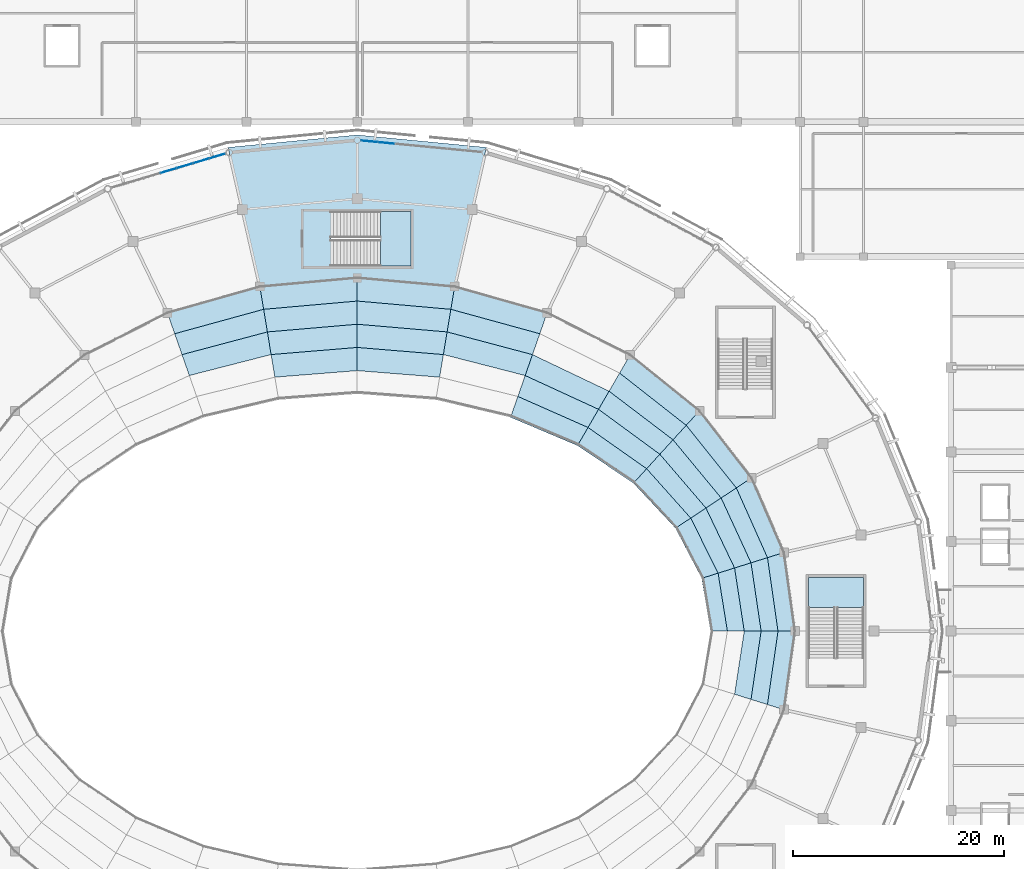
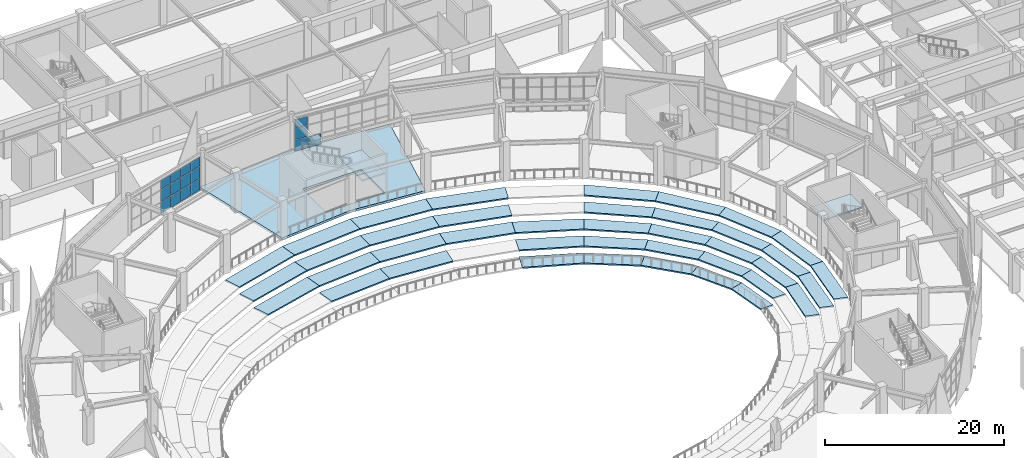
# One storey, part 64 of 120: 43 slabs, 16 plates, 4 elements without a shape of their own.
"""IFC4 building model written with IfcOpenShell, lengths in metres."""

from ifc_helpers import new_model, si_unit, direction, frame, origin, origin_2d, place, context, subcontext, project, spatial, polyline, rectangle, outline, extrude, material, layer, layer_set, type_object, element, aggregate, save


model = new_model("IFC4")

# Units and contexts
model_context = context("Model", 3, precision=1e-05, world=origin(), true_north=direction((0.0, 1.0)))
body_context = subcontext(model_context, "Body", "Model", "MODEL_VIEW")
ifc_project = project(units=[si_unit("LENGTHUNIT", "METRE"), si_unit("AREAUNIT", "SQUARE_METRE"), si_unit("VOLUMEUNIT", "CUBIC_METRE"), si_unit("PLANEANGLEUNIT", "RADIAN"), si_unit("MASSUNIT", "GRAM", prefix="KILO")], contexts=[model_context])

# Site, building, storey
site_placement = place(None, origin())
site = spatial("IfcSite", under=ifc_project, at=site_placement, CompositionType="ELEMENT")
building_placement = place(site_placement, origin())
building = spatial("IfcBuilding", under=site, at=building_placement, Name="Cuetzalor Civic Arena", CompositionType="ELEMENT")
storey_placement = place(building_placement, frame((0.0, 0.0, 6.0)))
storey = spatial("IfcBuildingStorey", under=building, at=storey_placement, Name="L01", CompositionType="ELEMENT", Elevation=6.0)

# Curtain wall, plates
ifc_material_1 = material(Name="Anodised dark bronze aluminium and low-E solar glass", Category="aluminium")
curtain_wall_type_1 = type_object("IfcCurtainWallType", Name="UnitisedCW_11550x4450", PredefinedType="USERDEFINED", material=ifc_material_1)
curtain_wall_1_placement = place(storey_placement, origin())
curtain_wall_1 = element("IfcCurtainWall", 1, at=curtain_wall_1_placement, inside=storey, type_object=curtain_wall_type_1, Name="Drum Triangle Foyer Curtain Wall L01-023", ObjectType="UNITISED CURTAIN WALL", PredefinedType="USERDEFINED")
ifc_material_2 = material(Name="Acoustic laminated solar control glass", Category="glass")
ifc_layer_1 = layer(ifc_material_2, 0.0439453125)
ifc_layer_set_1 = layer_set([ifc_layer_1], Name="Acoustic laminated solar control glass")
plate_type = type_object("IfcPlateType", Name="AcousticTripleGlazedPanel_44", PredefinedType="CURTAIN_PANEL", material=ifc_layer_set_1)
plate_1_placement = place(storey_placement, frame((1.15185546875, 46.439208984375, 0.06494140625), z_axis=(0.0, 0.0, 1.0), x_axis=(0.995409139996, -0.095711253324, 0.0)))
plate_1 = element("IfcPlate", 2, at=plate_1_placement, type_object=plate_type, Name="CW-08 panel 1.1", PredefinedType="CURTAIN_PANEL", context=body_context, shape_type="SweptSolid", body=[
    extrude(rectangle(XDim=1.5546875, YDim=0.0439453125, at=origin_2d()), origin(), (0.0, 0.0, 1.0), 1.49853515625),
])
plate_2_placement = place(storey_placement, frame((1.15185546875, 46.439208984375, 1.62841796875), z_axis=(0.0, 0.0, 1.0), x_axis=(0.995409139996, -0.095711253324, 0.0)))
plate_2 = element("IfcPlate", 3, at=plate_2_placement, type_object=plate_type, Name="CW-08 panel 1.2", PredefinedType="CURTAIN_PANEL", context=body_context, shape_type="SweptSolid", body=[
    extrude(rectangle(XDim=1.5546875, YDim=0.0439453125, at=origin_2d()), origin(), (0.0, 0.0, 1.0), 1.530029296875),
])
plate_3_placement = place(storey_placement, frame((1.15185546875, 46.439208984375, 3.223388671875), z_axis=(0.0, 0.0, 1.0), x_axis=(0.995409139996, -0.095711253324, 0.0)))
plate_3 = element("IfcPlate", 4, at=plate_3_placement, type_object=plate_type, Name="CW-08 panel 1.3", PredefinedType="CURTAIN_PANEL", context=body_context, shape_type="SweptSolid", body=[
    extrude(rectangle(XDim=1.5546875, YDim=0.0439453125, at=origin_2d()), origin(), (0.0, 0.0, 1.0), 1.1435546875),
])
plate_4_placement = place(storey_placement, frame((2.780029296875, 46.28271484375, 0.06494140625), z_axis=(0.0, 0.0, 1.0), x_axis=(0.995409139996, -0.095711253324, 0.0)))
plate_4 = element("IfcPlate", 5, at=plate_4_placement, type_object=plate_type, Name="CW-08 panel 2.1", PredefinedType="CURTAIN_PANEL", context=body_context, shape_type="SweptSolid", body=[
    extrude(rectangle(XDim=1.587158203125, YDim=0.0439453125, at=origin_2d()), origin(), (0.0, 0.0, 1.0), 1.49853515625),
])
aggregate(curtain_wall_1, [plate_1, plate_2, plate_3, plate_4])

ifc_material_3 = material(Name="Anodised dark bronze aluminium and low-E solar glass", Category="aluminium")
curtain_wall_type_2 = type_object("IfcCurtainWallType", Name="UnitisedCW_11300x4650", PredefinedType="USERDEFINED", material=ifc_material_3)
curtain_wall_2_placement = place(storey_placement, origin())
curtain_wall_2 = element("IfcCurtainWall", 6, at=curtain_wall_2_placement, inside=storey, type_object=curtain_wall_type_2, Name="Drum Triangle Foyer Curtain Wall L01-024", ObjectType="UNITISED CURTAIN WALL", PredefinedType="USERDEFINED")
plate_5_placement = place(storey_placement, frame((-17.903564453125, 43.66162109375, 0.06982421875), z_axis=(0.0, 0.0, 1.0), x_axis=(0.958193690548, 0.286120344251, 0.0)))
plate_5 = element("IfcPlate", 7, at=plate_5_placement, type_object=plate_type, Name="CW-09 panel 4.1", PredefinedType="CURTAIN_PANEL", context=body_context, shape_type="SweptSolid", body=[
    extrude(rectangle(XDim=1.545654296875, YDim=0.0439453125, at=origin_2d()), origin(), (0.0, 0.0, 1.0), 1.570068359375),
])
plate_6_placement = place(storey_placement, frame((-17.903564453125, 43.66162109375, 1.7099609375), z_axis=(0.0, 0.0, 1.0), x_axis=(0.958193690548, 0.286120344251, 0.0)))
plate_6 = element("IfcPlate", 8, at=plate_6_placement, type_object=plate_type, Name="CW-09 panel 4.2", PredefinedType="CURTAIN_PANEL", context=body_context, shape_type="SweptSolid", body=[
    extrude(rectangle(XDim=1.545654296875, YDim=0.0439453125, at=origin_2d()), origin(), (0.0, 0.0, 1.0), 1.60498046875),
])
plate_7_placement = place(storey_placement, frame((-17.903564453125, 43.66162109375, 3.384765625), z_axis=(0.0, 0.0, 1.0), x_axis=(0.958193690548, 0.286120344251, 0.0)))
plate_7 = element("IfcPlate", 9, at=plate_7_placement, type_object=plate_type, Name="CW-09 panel 4.3", PredefinedType="CURTAIN_PANEL", context=body_context, shape_type="SweptSolid", body=[
    extrude(rectangle(XDim=1.545654296875, YDim=0.0439453125, at=origin_2d()), origin(), (0.0, 0.0, 1.0), 1.197998046875),
])
plate_8_placement = place(storey_placement, frame((-16.355224609375, 44.123779296875, 0.06982421875), z_axis=(0.0, 0.0, 1.0), x_axis=(0.958193690548, 0.286120344251, 0.0)))
plate_8 = element("IfcPlate", 10, at=plate_8_placement, type_object=plate_type, Name="CW-09 panel 5.1", PredefinedType="CURTAIN_PANEL", context=body_context, shape_type="SweptSolid", body=[
    extrude(rectangle(XDim=1.545654296875, YDim=0.0439453125, at=origin_2d()), origin(), (0.0, 0.0, 1.0), 1.570068359375),
])
plate_9_placement = place(storey_placement, frame((-16.355224609375, 44.123779296875, 1.7099609375), z_axis=(0.0, 0.0, 1.0), x_axis=(0.958193690548, 0.286120344251, 0.0)))
plate_9 = element("IfcPlate", 11, at=plate_9_placement, type_object=plate_type, Name="CW-09 panel 5.2", PredefinedType="CURTAIN_PANEL", context=body_context, shape_type="SweptSolid", body=[
    extrude(rectangle(XDim=1.545654296875, YDim=0.0439453125, at=origin_2d()), origin(), (0.0, 0.0, 1.0), 1.60498046875),
])
plate_10_placement = place(storey_placement, frame((-16.355224609375, 44.123779296875, 3.384765625), z_axis=(0.0, 0.0, 1.0), x_axis=(0.958193690548, 0.286120344251, 0.0)))
plate_10 = element("IfcPlate", 12, at=plate_10_placement, type_object=plate_type, Name="CW-09 panel 5.3", PredefinedType="CURTAIN_PANEL", context=body_context, shape_type="SweptSolid", body=[
    extrude(rectangle(XDim=1.545654296875, YDim=0.0439453125, at=origin_2d()), origin(), (0.0, 0.0, 1.0), 1.197998046875),
])
plate_11_placement = place(storey_placement, frame((-14.80712890625, 44.586181640625, 0.06982421875), z_axis=(0.0, 0.0, 1.0), x_axis=(0.958193690548, 0.286120344251, 0.0)))
plate_11 = element("IfcPlate", 13, at=plate_11_placement, type_object=plate_type, Name="CW-09 panel 6.1", PredefinedType="CURTAIN_PANEL", context=body_context, shape_type="SweptSolid", body=[
    extrude(rectangle(XDim=1.545654296875, YDim=0.0439453125, at=origin_2d()), origin(), (0.0, 0.0, 1.0), 1.570068359375),
])
plate_12_placement = place(storey_placement, frame((-14.80712890625, 44.586181640625, 1.7099609375), z_axis=(0.0, 0.0, 1.0), x_axis=(0.958193690548, 0.286120344251, 0.0)))
plate_12 = element("IfcPlate", 14, at=plate_12_placement, type_object=plate_type, Name="CW-09 panel 6.2", PredefinedType="CURTAIN_PANEL", context=body_context, shape_type="SweptSolid", body=[
    extrude(rectangle(XDim=1.545654296875, YDim=0.0439453125, at=origin_2d()), origin(), (0.0, 0.0, 1.0), 1.60498046875),
])
plate_13_placement = place(storey_placement, frame((-14.80712890625, 44.586181640625, 3.384765625), z_axis=(0.0, 0.0, 1.0), x_axis=(0.958193690548, 0.286120344251, 0.0)))
plate_13 = element("IfcPlate", 15, at=plate_13_placement, type_object=plate_type, Name="CW-09 panel 6.3", PredefinedType="CURTAIN_PANEL", context=body_context, shape_type="SweptSolid", body=[
    extrude(rectangle(XDim=1.545654296875, YDim=0.0439453125, at=origin_2d()), origin(), (0.0, 0.0, 1.0), 1.197998046875),
])
plate_14_placement = place(storey_placement, frame((-13.275634765625, 45.04345703125, 0.06982421875), z_axis=(0.0, 0.0, 1.0), x_axis=(0.958193690548, 0.286120344251, 0.0)))
plate_14 = element("IfcPlate", 16, at=plate_14_placement, type_object=plate_type, Name="CW-09 panel 7.1", PredefinedType="CURTAIN_PANEL", context=body_context, shape_type="SweptSolid", body=[
    extrude(rectangle(XDim=1.5107421875, YDim=0.0439453125, at=origin_2d()), origin(), (0.0, 0.0, 1.0), 1.570068359375),
])
plate_15_placement = place(storey_placement, frame((-13.275634765625, 45.04345703125, 1.7099609375), z_axis=(0.0, 0.0, 1.0), x_axis=(0.958193690548, 0.286120344251, 0.0)))
plate_15 = element("IfcPlate", 17, at=plate_15_placement, type_object=plate_type, Name="CW-09 panel 7.2", PredefinedType="CURTAIN_PANEL", context=body_context, shape_type="SweptSolid", body=[
    extrude(rectangle(XDim=1.5107421875, YDim=0.0439453125, at=origin_2d()), origin(), (0.0, 0.0, 1.0), 1.60498046875),
])
plate_16_placement = place(storey_placement, frame((-13.275634765625, 45.04345703125, 3.384765625), z_axis=(0.0, 0.0, 1.0), x_axis=(0.958193690548, 0.286120344251, 0.0)))
plate_16 = element("IfcPlate", 18, at=plate_16_placement, type_object=plate_type, Name="CW-09 panel 7.3", PredefinedType="CURTAIN_PANEL", context=body_context, shape_type="SweptSolid", body=[
    extrude(rectangle(XDim=1.5107421875, YDim=0.0439453125, at=origin_2d()), origin(), (0.0, 0.0, 1.0), 1.197998046875),
])
aggregate(curtain_wall_2, [plate_5, plate_6, plate_7, plate_8, plate_9, plate_10, plate_11, plate_12, plate_13, plate_14, plate_15, plate_16])

# Slabs
ifc_material_4 = material(Name="Concrete C35/45", Category="concrete")
ifc_layer_2 = layer(ifc_material_4, 0.300048828125)
ifc_layer_set_2 = layer_set([ifc_layer_2], Name="Concrete C35/45")
slab_type_1 = type_object("IfcSlabType", Name="ConcourseFloorSlab_300", PredefinedType="FLOOR", material=ifc_layer_set_2)
slab_1_placement = place(storey_placement, frame((0.0, 0.0, -0.300048828125)))
element("IfcSlab", 19, at=slab_1_placement, inside=storey, type_object=slab_type_1, Name="Arena Concourse Sector Slab L01-04", PredefinedType="FLOOR", context=body_context, shape_type="SweptSolid", body=[
    extrude(outline(polyline([(0.0, 33.5), (-9.234619140625, 32.66015625), (-12.249755859375, 45.870361328125), (0.0, 47.050048828125), (12.249755859375, 45.870361328125), (9.234619140625, 32.66015625), (0.0, 33.5)]), holes=[polyline([(5.10009765625, 34.60009765625), (5.10009765625, 39.800048828125), (-2.5, 39.800048828125), (-2.5, 34.60009765625), (5.10009765625, 34.60009765625)])]), origin(), (0.0, 0.0, 1.0), 0.300048828125),
])
ifc_material_5 = material(Name="Precast concrete C45/55", Category="concrete")
ifc_layer_3 = layer(ifc_material_5, 0.179931640625)
ifc_layer_set_3 = layer_set([ifc_layer_3], Name="Precast concrete C45/55")
slab_type_2 = type_object("IfcSlabType", Name="LowerBowlSeatingTier_180", PredefinedType="USERDEFINED", material=ifc_layer_set_3)
slab_2_placement = place(storey_placement, frame((0.0, 0.0, -4.97998046875)))
element("IfcSlab", 20, at=slab_2_placement, inside=storey, type_object=slab_type_2, Name="Stand Lower Tier Bay 01 Row 1", ObjectType="SEATING TIER", PredefinedType="USERDEFINED", context=body_context, shape_type="SweptSolid", body=[
    extrude(outline(polyline([(33.5, 0.0), (32.66015625, 5.006591796875), (34.219970703125, 5.496337890625), (35.10009765625, 0.0), (33.5, 0.0)])), origin(), (0.0, 0.0, 1.0), 0.179931640625),
])
slab_3_placement = place(storey_placement, frame((0.0, 0.0, -4.06005859375)))
element("IfcSlab", 21, at=slab_3_placement, inside=storey, type_object=slab_type_2, Name="Stand Lower Tier Bay 01 Row 2", ObjectType="SEATING TIER", PredefinedType="USERDEFINED", context=body_context, shape_type="SweptSolid", body=[
    extrude(outline(polyline([(35.10009765625, 0.0), (34.219970703125, 5.496337890625), (35.77978515625, 5.98583984375), (36.699951171875, 0.0), (35.10009765625, 0.0)])), origin(), (0.0, 0.0, 1.0), 0.18017578125),
])
slab_4_placement = place(storey_placement, frame((0.0, 0.0, -3.139892578125)))
element("IfcSlab", 22, at=slab_4_placement, inside=storey, type_object=slab_type_2, Name="Stand Lower Tier Bay 01 Row 3", ObjectType="SEATING TIER", PredefinedType="USERDEFINED", context=body_context, shape_type="SweptSolid", body=[
    extrude(outline(polyline([(36.699951171875, 0.0), (35.77978515625, 5.98583984375), (37.339599609375, 6.475341796875), (38.300048828125, 0.0), (36.699951171875, 0.0)])), origin(), (0.0, 0.0, 1.0), 0.179931640625),
])
slab_5_placement = place(storey_placement, frame((0.0, 0.0, -2.219970703125)))
element("IfcSlab", 23, at=slab_5_placement, inside=storey, type_object=slab_type_2, Name="Stand Lower Tier Bay 01 Row 4", ObjectType="SEATING TIER", PredefinedType="USERDEFINED", context=body_context, shape_type="SweptSolid", body=[
    extrude(outline(polyline([(38.300048828125, 0.0), (37.339599609375, 6.475341796875), (38.899658203125, 6.96484375), (39.89990234375, 0.0), (38.300048828125, 0.0)])), origin(), (0.0, 0.0, 1.0), 0.179931640625),
])
slab_6_placement = place(storey_placement, frame((0.0, 0.0, -1.300048828125)))
element("IfcSlab", 24, at=slab_6_placement, inside=storey, type_object=slab_type_2, Name="Stand Lower Tier Bay 01 Row 5", ObjectType="SEATING TIER", PredefinedType="USERDEFINED", context=body_context, shape_type="SweptSolid", body=[
    extrude(outline(polyline([(39.89990234375, 0.0), (38.899658203125, 6.96484375), (40.45947265625, 7.45458984375), (41.5, 0.0), (39.89990234375, 0.0)])), origin(), (0.0, 0.0, 1.0), 0.179931640625),
])
slab_7_placement = place(storey_placement, frame((0.0, 0.0, -4.97998046875)))
element("IfcSlab", 25, at=slab_7_placement, inside=storey, type_object=slab_type_2, Name="Stand Lower Tier Bay 02 Row 1", ObjectType="SEATING TIER", PredefinedType="USERDEFINED", context=body_context, shape_type="SweptSolid", body=[
    extrude(outline(polyline([(32.66015625, 5.006591796875), (30.1826171875, 9.762451171875), (31.6240234375, 10.716796875), (34.219970703125, 5.496337890625), (32.66015625, 5.006591796875)])), origin(), (0.0, 0.0, 1.0), 0.179931640625),
])
slab_8_placement = place(storey_placement, frame((0.0, 0.0, -4.06005859375)))
element("IfcSlab", 26, at=slab_8_placement, inside=storey, type_object=slab_type_2, Name="Stand Lower Tier Bay 02 Row 2", ObjectType="SEATING TIER", PredefinedType="USERDEFINED", context=body_context, shape_type="SweptSolid", body=[
    extrude(outline(polyline([(34.219970703125, 5.496337890625), (31.6240234375, 10.716796875), (33.065673828125, 11.67138671875), (35.77978515625, 5.98583984375), (34.219970703125, 5.496337890625)])), origin(), (0.0, 0.0, 1.0), 0.18017578125),
])
slab_9_placement = place(storey_placement, frame((0.0, 0.0, -3.139892578125)))
element("IfcSlab", 27, at=slab_9_placement, inside=storey, type_object=slab_type_2, Name="Stand Lower Tier Bay 02 Row 3", ObjectType="SEATING TIER", PredefinedType="USERDEFINED", context=body_context, shape_type="SweptSolid", body=[
    extrude(outline(polyline([(35.77978515625, 5.98583984375), (33.065673828125, 11.67138671875), (34.507080078125, 12.6259765625), (37.339599609375, 6.475341796875), (35.77978515625, 5.98583984375)])), origin(), (0.0, 0.0, 1.0), 0.179931640625),
])
slab_10_placement = place(storey_placement, frame((0.0, 0.0, -2.219970703125)))
element("IfcSlab", 28, at=slab_10_placement, inside=storey, type_object=slab_type_2, Name="Stand Lower Tier Bay 02 Row 4", ObjectType="SEATING TIER", PredefinedType="USERDEFINED", context=body_context, shape_type="SweptSolid", body=[
    extrude(outline(polyline([(37.339599609375, 6.475341796875), (34.507080078125, 12.6259765625), (35.94873046875, 13.58056640625), (38.899658203125, 6.96484375), (37.339599609375, 6.475341796875)])), origin(), (0.0, 0.0, 1.0), 0.179931640625),
])
slab_11_placement = place(storey_placement, frame((0.0, 0.0, -1.300048828125)))
element("IfcSlab", 29, at=slab_11_placement, inside=storey, type_object=slab_type_2, Name="Stand Lower Tier Bay 02 Row 5", ObjectType="SEATING TIER", PredefinedType="USERDEFINED", context=body_context, shape_type="SweptSolid", body=[
    extrude(outline(polyline([(38.899658203125, 6.96484375), (35.94873046875, 13.58056640625), (37.39013671875, 14.53515625), (40.45947265625, 7.45458984375), (38.899658203125, 6.96484375)])), origin(), (0.0, 0.0, 1.0), 0.179931640625),
])
slab_12_placement = place(storey_placement, frame((0.0, 0.0, -4.97998046875)))
element("IfcSlab", 30, at=slab_12_placement, inside=storey, type_object=slab_type_2, Name="Stand Lower Tier Bay 03 Row 1", ObjectType="SEATING TIER", PredefinedType="USERDEFINED", context=body_context, shape_type="SweptSolid", body=[
    extrude(outline(polyline([(30.1826171875, 9.762451171875), (26.19140625, 14.028564453125), (27.4423828125, 15.400146484375), (31.6240234375, 10.716796875), (30.1826171875, 9.762451171875)])), origin(), (0.0, 0.0, 1.0), 0.179931640625),
])
slab_13_placement = place(storey_placement, frame((0.0, 0.0, -4.06005859375)))
element("IfcSlab", 31, at=slab_13_placement, inside=storey, type_object=slab_type_2, Name="Stand Lower Tier Bay 03 Row 2", ObjectType="SEATING TIER", PredefinedType="USERDEFINED", context=body_context, shape_type="SweptSolid", body=[
    extrude(outline(polyline([(31.6240234375, 10.716796875), (27.4423828125, 15.400146484375), (28.693115234375, 16.77197265625), (33.065673828125, 11.67138671875), (31.6240234375, 10.716796875)])), origin(), (0.0, 0.0, 1.0), 0.18017578125),
])
slab_14_placement = place(storey_placement, frame((0.0, 0.0, -3.139892578125)))
element("IfcSlab", 32, at=slab_14_placement, inside=storey, type_object=slab_type_2, Name="Stand Lower Tier Bay 03 Row 3", ObjectType="SEATING TIER", PredefinedType="USERDEFINED", context=body_context, shape_type="SweptSolid", body=[
    extrude(outline(polyline([(33.065673828125, 11.67138671875), (28.693115234375, 16.77197265625), (29.944091796875, 18.1435546875), (34.507080078125, 12.6259765625), (33.065673828125, 11.67138671875)])), origin(), (0.0, 0.0, 1.0), 0.179931640625),
])
slab_15_placement = place(storey_placement, frame((0.0, 0.0, -2.219970703125)))
element("IfcSlab", 33, at=slab_15_placement, inside=storey, type_object=slab_type_2, Name="Stand Lower Tier Bay 03 Row 4", ObjectType="SEATING TIER", PredefinedType="USERDEFINED", context=body_context, shape_type="SweptSolid", body=[
    extrude(outline(polyline([(34.507080078125, 12.6259765625), (29.944091796875, 18.1435546875), (31.195068359375, 19.51513671875), (35.94873046875, 13.58056640625), (34.507080078125, 12.6259765625)])), origin(), (0.0, 0.0, 1.0), 0.179931640625),
])
slab_16_placement = place(storey_placement, frame((0.0, 0.0, -1.300048828125)))
element("IfcSlab", 34, at=slab_16_placement, inside=storey, type_object=slab_type_2, Name="Stand Lower Tier Bay 03 Row 5", ObjectType="SEATING TIER", PredefinedType="USERDEFINED", context=body_context, shape_type="SweptSolid", body=[
    extrude(outline(polyline([(35.94873046875, 13.58056640625), (31.195068359375, 19.51513671875), (32.446044921875, 20.886962890625), (37.39013671875, 14.53515625), (35.94873046875, 13.58056640625)])), origin(), (0.0, 0.0, 1.0), 0.179931640625),
])
slab_17_placement = place(storey_placement, frame((0.0, 0.0, -4.97998046875)))
element("IfcSlab", 35, at=slab_17_placement, inside=storey, type_object=slab_type_2, Name="Stand Lower Tier Bay 04 Row 1", ObjectType="SEATING TIER", PredefinedType="USERDEFINED", context=body_context, shape_type="SweptSolid", body=[
    extrude(outline(polyline([(26.19140625, 14.028564453125), (20.886962890625, 17.59130859375), (21.884521484375, 19.311279296875), (27.4423828125, 15.400146484375), (26.19140625, 14.028564453125)])), origin(), (0.0, 0.0, 1.0), 0.179931640625),
])
slab_18_placement = place(storey_placement, frame((0.0, 0.0, -4.06005859375)))
element("IfcSlab", 36, at=slab_18_placement, inside=storey, type_object=slab_type_2, Name="Stand Lower Tier Bay 04 Row 2", ObjectType="SEATING TIER", PredefinedType="USERDEFINED", context=body_context, shape_type="SweptSolid", body=[
    extrude(outline(polyline([(27.4423828125, 15.400146484375), (21.884521484375, 19.311279296875), (22.882080078125, 21.03125), (28.693115234375, 16.77197265625), (27.4423828125, 15.400146484375)])), origin(), (0.0, 0.0, 1.0), 0.18017578125),
])
slab_19_placement = place(storey_placement, frame((0.0, 0.0, -3.139892578125)))
element("IfcSlab", 37, at=slab_19_placement, inside=storey, type_object=slab_type_2, Name="Stand Lower Tier Bay 04 Row 3", ObjectType="SEATING TIER", PredefinedType="USERDEFINED", context=body_context, shape_type="SweptSolid", body=[
    extrude(outline(polyline([(28.693115234375, 16.77197265625), (22.882080078125, 21.03125), (23.879638671875, 22.751220703125), (29.944091796875, 18.1435546875), (28.693115234375, 16.77197265625)])), origin(), (0.0, 0.0, 1.0), 0.179931640625),
])
slab_20_placement = place(storey_placement, frame((0.0, 0.0, -2.219970703125)))
element("IfcSlab", 38, at=slab_20_placement, inside=storey, type_object=slab_type_2, Name="Stand Lower Tier Bay 04 Row 4", ObjectType="SEATING TIER", PredefinedType="USERDEFINED", context=body_context, shape_type="SweptSolid", body=[
    extrude(outline(polyline([(29.944091796875, 18.1435546875), (23.879638671875, 22.751220703125), (24.877197265625, 24.47119140625), (31.195068359375, 19.51513671875), (29.944091796875, 18.1435546875)])), origin(), (0.0, 0.0, 1.0), 0.179931640625),
])
slab_21_placement = place(storey_placement, frame((0.0, 0.0, -1.300048828125)))
element("IfcSlab", 39, at=slab_21_placement, inside=storey, type_object=slab_type_2, Name="Stand Lower Tier Bay 04 Row 5", ObjectType="SEATING TIER", PredefinedType="USERDEFINED", context=body_context, shape_type="SweptSolid", body=[
    extrude(outline(polyline([(31.195068359375, 19.51513671875), (24.877197265625, 24.47119140625), (25.874755859375, 26.19140625), (32.446044921875, 20.886962890625), (31.195068359375, 19.51513671875)])), origin(), (0.0, 0.0, 1.0), 0.179931640625),
])
slab_22_placement = place(storey_placement, frame((0.0, 0.0, -4.97998046875)))
element("IfcSlab", 40, at=slab_22_placement, inside=storey, type_object=slab_type_2, Name="Stand Lower Tier Bay 05 Row 1", ObjectType="SEATING TIER", PredefinedType="USERDEFINED", context=body_context, shape_type="SweptSolid", body=[
    extrude(outline(polyline([(20.886962890625, 17.59130859375), (14.53515625, 20.271728515625), (15.229248046875, 22.25390625), (21.884521484375, 19.311279296875), (20.886962890625, 17.59130859375)])), origin(), (0.0, 0.0, 1.0), 0.179931640625),
])
slab_23_placement = place(storey_placement, frame((0.0, 0.0, -4.06005859375)))
element("IfcSlab", 41, at=slab_23_placement, inside=storey, type_object=slab_type_2, Name="Stand Lower Tier Bay 05 Row 2", ObjectType="SEATING TIER", PredefinedType="USERDEFINED", context=body_context, shape_type="SweptSolid", body=[
    extrude(outline(polyline([(21.884521484375, 19.311279296875), (15.229248046875, 22.25390625), (15.923583984375, 24.236083984375), (22.882080078125, 21.03125), (21.884521484375, 19.311279296875)])), origin(), (0.0, 0.0, 1.0), 0.18017578125),
])
slab_24_placement = place(storey_placement, frame((0.0, 0.0, -3.139892578125)))
element("IfcSlab", 42, at=slab_24_placement, inside=storey, type_object=slab_type_2, Name="Stand Lower Tier Bay 05 Row 3", ObjectType="SEATING TIER", PredefinedType="USERDEFINED", context=body_context, shape_type="SweptSolid", body=[
    extrude(outline(polyline([(22.882080078125, 21.03125), (15.923583984375, 24.236083984375), (16.61767578125, 26.21826171875), (23.879638671875, 22.751220703125), (22.882080078125, 21.03125)])), origin(), (0.0, 0.0, 1.0), 0.179931640625),
])
slab_25_placement = place(storey_placement, frame((0.0, 0.0, -3.139892578125)))
element("IfcSlab", 43, at=slab_25_placement, inside=storey, type_object=slab_type_2, Name="Stand Lower Tier Bay 06 Row 3", ObjectType="SEATING TIER", PredefinedType="USERDEFINED", context=body_context, shape_type="SweptSolid", body=[
    extrude(outline(polyline([(15.923583984375, 24.236083984375), (8.16650390625, 26.2255859375), (8.522705078125, 28.370361328125), (16.61767578125, 26.21826171875), (15.923583984375, 24.236083984375)])), origin(), (0.0, 0.0, 1.0), 0.179931640625),
])
slab_26_placement = place(storey_placement, frame((0.0, 0.0, -2.219970703125)))
element("IfcSlab", 44, at=slab_26_placement, inside=storey, type_object=slab_type_2, Name="Stand Lower Tier Bay 06 Row 4", ObjectType="SEATING TIER", PredefinedType="USERDEFINED", context=body_context, shape_type="SweptSolid", body=[
    extrude(outline(polyline([(16.61767578125, 26.21826171875), (8.522705078125, 28.370361328125), (8.878662109375, 30.51513671875), (17.31201171875, 28.2001953125), (16.61767578125, 26.21826171875)])), origin(), (0.0, 0.0, 1.0), 0.179931640625),
])
slab_27_placement = place(storey_placement, frame((0.0, 0.0, -1.300048828125)))
element("IfcSlab", 45, at=slab_27_placement, inside=storey, type_object=slab_type_2, Name="Stand Lower Tier Bay 06 Row 5", ObjectType="SEATING TIER", PredefinedType="USERDEFINED", context=body_context, shape_type="SweptSolid", body=[
    extrude(outline(polyline([(17.31201171875, 28.2001953125), (8.878662109375, 30.51513671875), (9.234619140625, 32.66015625), (18.006103515625, 30.1826171875), (17.31201171875, 28.2001953125)])), origin(), (0.0, 0.0, 1.0), 0.179931640625),
])
slab_28_placement = place(storey_placement, frame((0.0, 0.0, -4.06005859375)))
element("IfcSlab", 46, at=slab_28_placement, inside=storey, type_object=slab_type_2, Name="Stand Lower Tier Bay 07 Row 2", ObjectType="SEATING TIER", PredefinedType="USERDEFINED", context=body_context, shape_type="SweptSolid", body=[
    extrude(outline(polyline([(7.810546875, 24.080810546875), (0.0, 24.699951171875), (0.0, 26.89990234375), (8.16650390625, 26.2255859375), (7.810546875, 24.080810546875)])), origin(), (0.0, 0.0, 1.0), 0.18017578125),
])
slab_29_placement = place(storey_placement, frame((0.0, 0.0, -3.139892578125)))
element("IfcSlab", 47, at=slab_29_placement, inside=storey, type_object=slab_type_2, Name="Stand Lower Tier Bay 07 Row 3", ObjectType="SEATING TIER", PredefinedType="USERDEFINED", context=body_context, shape_type="SweptSolid", body=[
    extrude(outline(polyline([(8.16650390625, 26.2255859375), (0.0, 26.89990234375), (0.0, 29.10009765625), (8.522705078125, 28.370361328125), (8.16650390625, 26.2255859375)])), origin(), (0.0, 0.0, 1.0), 0.179931640625),
])
slab_30_placement = place(storey_placement, frame((0.0, 0.0, -2.219970703125)))
element("IfcSlab", 48, at=slab_30_placement, inside=storey, type_object=slab_type_2, Name="Stand Lower Tier Bay 07 Row 4", ObjectType="SEATING TIER", PredefinedType="USERDEFINED", context=body_context, shape_type="SweptSolid", body=[
    extrude(outline(polyline([(8.522705078125, 28.370361328125), (0.0, 29.10009765625), (0.0, 31.300048828125), (8.878662109375, 30.51513671875), (8.522705078125, 28.370361328125)])), origin(), (0.0, 0.0, 1.0), 0.179931640625),
])
slab_31_placement = place(storey_placement, frame((0.0, 0.0, -1.300048828125)))
element("IfcSlab", 49, at=slab_31_placement, inside=storey, type_object=slab_type_2, Name="Stand Lower Tier Bay 07 Row 5", ObjectType="SEATING TIER", PredefinedType="USERDEFINED", context=body_context, shape_type="SweptSolid", body=[
    extrude(outline(polyline([(8.878662109375, 30.51513671875), (0.0, 31.300048828125), (0.0, 33.5), (9.234619140625, 32.66015625), (8.878662109375, 30.51513671875)])), origin(), (0.0, 0.0, 1.0), 0.179931640625),
])
slab_32_placement = place(storey_placement, frame((0.0, 0.0, -4.06005859375)))
element("IfcSlab", 50, at=slab_32_placement, inside=storey, type_object=slab_type_2, Name="Stand Lower Tier Bay 08 Row 2", ObjectType="SEATING TIER", PredefinedType="USERDEFINED", context=body_context, shape_type="SweptSolid", body=[
    extrude(outline(polyline([(0.0, 24.699951171875), (-7.810546875, 24.080810546875), (-8.16650390625, 26.2255859375), (0.0, 26.89990234375), (0.0, 24.699951171875)])), origin(), (0.0, 0.0, 1.0), 0.18017578125),
])
slab_33_placement = place(storey_placement, frame((0.0, 0.0, -3.139892578125)))
element("IfcSlab", 51, at=slab_33_placement, inside=storey, type_object=slab_type_2, Name="Stand Lower Tier Bay 08 Row 3", ObjectType="SEATING TIER", PredefinedType="USERDEFINED", context=body_context, shape_type="SweptSolid", body=[
    extrude(outline(polyline([(0.0, 26.89990234375), (-8.16650390625, 26.2255859375), (-8.522705078125, 28.370361328125), (0.0, 29.10009765625), (0.0, 26.89990234375)])), origin(), (0.0, 0.0, 1.0), 0.179931640625),
])
slab_34_placement = place(storey_placement, frame((0.0, 0.0, -2.219970703125)))
element("IfcSlab", 52, at=slab_34_placement, inside=storey, type_object=slab_type_2, Name="Stand Lower Tier Bay 08 Row 4", ObjectType="SEATING TIER", PredefinedType="USERDEFINED", context=body_context, shape_type="SweptSolid", body=[
    extrude(outline(polyline([(0.0, 29.10009765625), (-8.522705078125, 28.370361328125), (-8.878662109375, 30.51513671875), (0.0, 31.300048828125), (0.0, 29.10009765625)])), origin(), (0.0, 0.0, 1.0), 0.179931640625),
])
slab_35_placement = place(storey_placement, frame((0.0, 0.0, -1.300048828125)))
element("IfcSlab", 53, at=slab_35_placement, inside=storey, type_object=slab_type_2, Name="Stand Lower Tier Bay 08 Row 5", ObjectType="SEATING TIER", PredefinedType="USERDEFINED", context=body_context, shape_type="SweptSolid", body=[
    extrude(outline(polyline([(0.0, 31.300048828125), (-8.878662109375, 30.51513671875), (-9.234619140625, 32.66015625), (0.0, 33.5), (0.0, 31.300048828125)])), origin(), (0.0, 0.0, 1.0), 0.179931640625),
])
slab_36_placement = place(storey_placement, frame((0.0, 0.0, -3.139892578125)))
element("IfcSlab", 54, at=slab_36_placement, inside=storey, type_object=slab_type_2, Name="Stand Lower Tier Bay 09 Row 3", ObjectType="SEATING TIER", PredefinedType="USERDEFINED", context=body_context, shape_type="SweptSolid", body=[
    extrude(outline(polyline([(-8.16650390625, 26.2255859375), (-15.923583984375, 24.236083984375), (-16.61767578125, 26.21826171875), (-8.522705078125, 28.370361328125), (-8.16650390625, 26.2255859375)])), origin(), (0.0, 0.0, 1.0), 0.179931640625),
])
slab_37_placement = place(storey_placement, frame((0.0, 0.0, -2.219970703125)))
element("IfcSlab", 55, at=slab_37_placement, inside=storey, type_object=slab_type_2, Name="Stand Lower Tier Bay 09 Row 4", ObjectType="SEATING TIER", PredefinedType="USERDEFINED", context=body_context, shape_type="SweptSolid", body=[
    extrude(outline(polyline([(-8.522705078125, 28.370361328125), (-16.61767578125, 26.21826171875), (-17.31201171875, 28.2001953125), (-8.878662109375, 30.51513671875), (-8.522705078125, 28.370361328125)])), origin(), (0.0, 0.0, 1.0), 0.179931640625),
])
slab_38_placement = place(storey_placement, frame((0.0, 0.0, -1.300048828125)))
element("IfcSlab", 56, at=slab_38_placement, inside=storey, type_object=slab_type_2, Name="Stand Lower Tier Bay 09 Row 5", ObjectType="SEATING TIER", PredefinedType="USERDEFINED", context=body_context, shape_type="SweptSolid", body=[
    extrude(outline(polyline([(-8.878662109375, 30.51513671875), (-17.31201171875, 28.2001953125), (-18.006103515625, 30.1826171875), (-9.234619140625, 32.66015625), (-8.878662109375, 30.51513671875)])), origin(), (0.0, 0.0, 1.0), 0.179931640625),
])
slab_39_placement = place(storey_placement, frame((0.0, 0.0, -3.139892578125)))
element("IfcSlab", 57, at=slab_39_placement, inside=storey, type_object=slab_type_2, Name="Stand Lower Tier Bay 28 Row 3", ObjectType="SEATING TIER", PredefinedType="USERDEFINED", context=body_context, shape_type="SweptSolid", body=[
    extrude(outline(polyline([(35.77978515625, -5.98583984375), (36.699951171875, 0.0), (38.300048828125, 0.0), (37.339599609375, -6.475341796875), (35.77978515625, -5.98583984375)])), origin(), (0.0, 0.0, 1.0), 0.179931640625),
])
slab_40_placement = place(storey_placement, frame((0.0, 0.0, -2.219970703125)))
element("IfcSlab", 58, at=slab_40_placement, inside=storey, type_object=slab_type_2, Name="Stand Lower Tier Bay 28 Row 4", ObjectType="SEATING TIER", PredefinedType="USERDEFINED", context=body_context, shape_type="SweptSolid", body=[
    extrude(outline(polyline([(37.339599609375, -6.475341796875), (38.300048828125, 0.0), (39.89990234375, 0.0), (38.899658203125, -6.96484375), (37.339599609375, -6.475341796875)])), origin(), (0.0, 0.0, 1.0), 0.179931640625),
])
slab_41_placement = place(storey_placement, frame((0.0, 0.0, -1.300048828125)))
element("IfcSlab", 59, at=slab_41_placement, inside=storey, type_object=slab_type_2, Name="Stand Lower Tier Bay 28 Row 5", ObjectType="SEATING TIER", PredefinedType="USERDEFINED", context=body_context, shape_type="SweptSolid", body=[
    extrude(outline(polyline([(38.899658203125, -6.96484375), (39.89990234375, 0.0), (41.5, 0.0), (40.45947265625, -7.45458984375), (38.899658203125, -6.96484375)])), origin(), (0.0, 0.0, 1.0), 0.179931640625),
])

# Stair, slab
ifc_material_6 = material(Name="Precast concrete C40/50", Category="concrete")
stair_type = type_object("IfcStairType", Name="EnclosedExitStair_H540", PredefinedType="HALF_TURN_STAIR", material=ifc_material_6)
stair_1_placement = place(storey_placement, origin())
stair_1 = element("IfcStair", 60, at=stair_1_placement, inside=storey, type_object=stair_type, Name="L01 Enclosed Exit Stair ST-01", PredefinedType="HALF_TURN_STAIR")
ifc_material_7 = material(Name="Concrete C40/50", Category="concrete")
ifc_layer_4 = layer(ifc_material_7, 0.199951171875)
ifc_layer_set_4 = layer_set([ifc_layer_4], Name="Concrete C40/50")
slab_type_3 = type_object("IfcSlabType", Name="StairHalfLandingSlab_200", PredefinedType="LANDING", material=ifc_layer_set_4)
slab_42_placement = place(storey_placement, frame((0.0, 0.0, 2.5)))
slab_42 = element("IfcSlab", 61, at=slab_42_placement, type_object=slab_type_3, Name="ST-01 landing 1", PredefinedType="LANDING", context=body_context, shape_type="SweptSolid", body=[
    extrude(outline(polyline([(48.0, 2.219970703125), (48.0, 5.10009765625), (42.800048828125, 5.10009765625), (42.800048828125, 2.219970703125), (48.0, 2.219970703125)])), origin(), (0.0, 0.0, 1.0), 0.199951171875),
])
aggregate(stair_1, [slab_42])

stair_2_placement = place(storey_placement, origin())
stair_2 = element("IfcStair", 62, at=stair_2_placement, inside=storey, type_object=stair_type, Name="L01 Enclosed Exit Stair ST-03", PredefinedType="HALF_TURN_STAIR")
slab_43_placement = place(storey_placement, frame((0.0, 0.0, 2.5)))
slab_43 = element("IfcSlab", 63, at=slab_43_placement, type_object=slab_type_3, Name="ST-03 landing 1", PredefinedType="LANDING", context=body_context, shape_type="SweptSolid", body=[
    extrude(outline(polyline([(2.219970703125, 34.60009765625), (5.10009765625, 34.60009765625), (5.10009765625, 39.800048828125), (2.219970703125, 39.800048828125), (2.219970703125, 34.60009765625)])), origin(), (0.0, 0.0, 1.0), 0.199951171875),
])
aggregate(stair_2, [slab_43])

save(model, "model.ifc")
